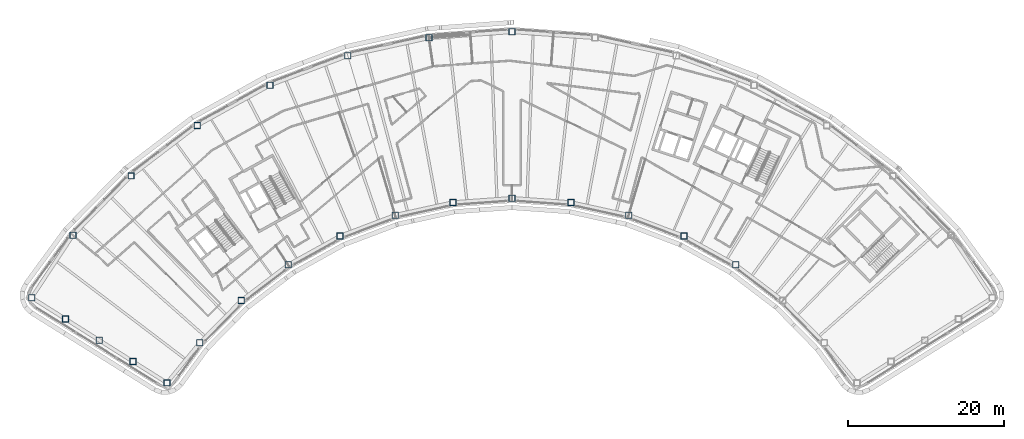
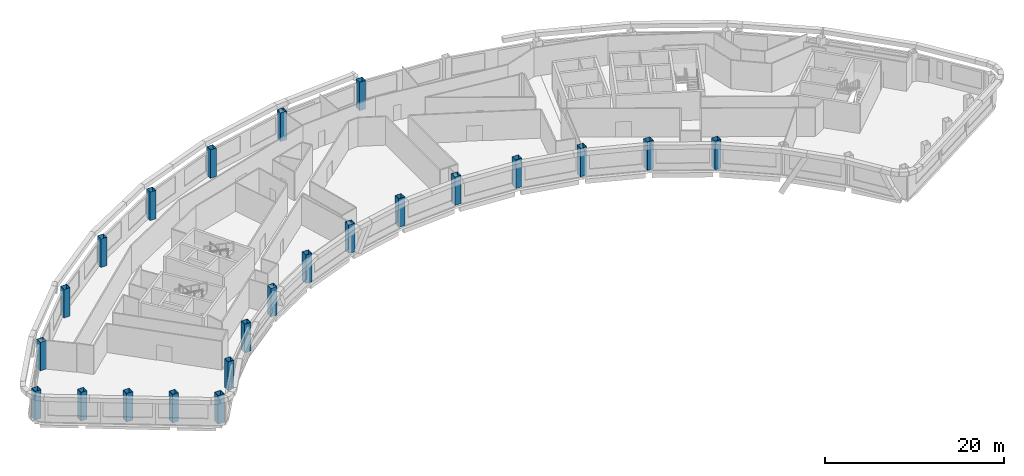
# One storey, part 1 of 13: 23 columns.
"""IFC4 building model written with IfcOpenShell, lengths in metres."""

from ifc_helpers import new_model, si_unit, direction, frame, origin, origin_2d, place, context, subcontext, project, spatial, hollow_rectangle, extrude, material, material_profile, profile_set, type_object, element, save


model = new_model("IFC4")

# Units and contexts
model_context = context("Model", 3, precision=1e-05, world=origin(), true_north=direction((0.0, 1.0)))
body_context = subcontext(model_context, "Body", "Model", "MODEL_VIEW")
ifc_project = project(units=[si_unit("LENGTHUNIT", "METRE"), si_unit("AREAUNIT", "SQUARE_METRE"), si_unit("VOLUMEUNIT", "CUBIC_METRE"), si_unit("PLANEANGLEUNIT", "RADIAN"), si_unit("MASSUNIT", "GRAM", prefix="KILO")], contexts=[model_context])

# Site, building, storey
site_placement = place(None, origin())
site = spatial("IfcSite", under=ifc_project, at=site_placement, CompositionType="ELEMENT")
building_placement = place(site_placement, origin())
building = spatial("IfcBuilding", under=site, at=building_placement, Name="Tuul Gate Civic Tower", CompositionType="ELEMENT")
storey_placement = place(building_placement, frame((0.0, 0.0, 340.699951171875)))
storey = spatial("IfcBuildingStorey", under=building, at=storey_placement, Name="Level 77", CompositionType="ELEMENT", Elevation=340.699951171875)

# Columns
ifc_material = material(Name="Steel S355", Category="steel")
ifc_material_profile = material_profile(ifc_material, hollow_rectangle(XDim=0.800048828125, YDim=0.800048828125, WallThickness=0.031982421875, at=origin_2d()), Name="BOX800x800x32")
ifc_profile_set = profile_set([ifc_material_profile], Name="Steel S355")
column_type = type_object("IfcColumnType", Name="STR-COLUMN-BOX800x800x32", PredefinedType="COLUMN", material=ifc_profile_set)
for number, where, z_axis, x_axis, name in (
    (1, (2.19189453125, 13.827880859375, 0.0), (0.0, 0.0, 1.0), (1.0, 0.0, 0.0), "Column"),
    (2, (-8.45703125, 13.055908203125, 0.0), (0.0, 0.0, 1.0), (1.0, 0.0, 0.0), "Column"),
    (3, (-18.885009765625, 10.758056640625, 0.0), (0.0, 0.0, 1.0), (1.0, 0.0, 0.0), "Column"),
    (4, (-28.8720703125, 6.98193359375, 0.0), (0.0, 0.0, 1.0), (1.0, 0.0, 0.0), "Column"),
    (5, (-38.2099609375, 1.804931640625, 0.0), (0.0, 0.0, 1.0), (1.0, 0.0, 0.0), "Column"),
    (6, (-46.7060546875, -4.6630859375, 0.0), (0.0, 0.0, 1.0), (1.0, 0.0, 0.0), "Column"),
    (7, (-54.179931640625, -12.2880859375, 0.0), (0.0, 0.0, 1.0), (1.0, 0.0, 0.0), "Column"),
    (8, (-59.47900390625, -20.300048828125, 0.0), (0.0, 0.0, 1.0), (1.0, 0.0, 0.0), "Column"),
    (9, (-55.135986328125, -23.034912109375, 0.0), (0.0, 0.0, 1.0), (1.0, 0.0, 0.0), "Column"),
    (10, (-50.7939453125, -25.77001953125, 0.0), (0.0, 0.0, 1.0), (1.0, 0.0, 0.0), "Column"),
    (11, (-46.450927734375, -28.50390625, 0.0), (0.0, 0.0, 1.0), (1.0, 0.0, 0.0), "Column"),
    (12, (-42.10888671875, -31.239013671875, 0.0), (0.0, 0.0, 1.0), (1.0, 0.0, 0.0), "Column"),
    (13, (-37.888916015625, -26.096923828125, 0.0), (0.0, 0.0, 1.0), (1.0, 0.0, 0.0), "Column"),
    (14, (-32.574951171875, -20.675048828125, 0.0), (0.0, 0.0, 1.0), (1.0, 0.0, 0.0), "Column"),
    (15, (-26.534912109375, -16.075927734375, 0.0), (0.0, 0.0, 1.0), (1.0, 0.0, 0.0), "Column"),
    (16, (-19.89501953125, -12.39599609375, 0.0), (0.0, 0.0, 1.0), (1.0, 0.0, 0.0), "Column"),
    (17, (-12.7939453125, -9.7099609375, 0.0), (0.0, 0.0, 1.0), (1.0, 0.0, 0.0), "Column"),
    (18, (-5.3798828125, -8.076904296875, 0.0), (0.0, 0.0, 1.0), (1.0, 0.0, 0.0), "Column"),
    (19, (2.19189453125, -7.528076171875, 0.0), (0.0, 0.0, 1.0), (1.0, 0.0, 0.0), "Column"),
    (20, (9.763916015625, -8.076904296875, 0.0), (0.0, 0.0, 1.0), (1.0, 0.0, 0.0), "Column"),
    (21, (17.177978515625, -9.7099609375, 0.0), (0.0, 0.0, 1.0), (1.0, 0.0, 0.0), "Column"),
    (22, (24.279052734375, -12.39599609375, 0.0), (0.0, 0.0, 1.0), (1.0, 0.0, 0.0), "Column"),
    (23, (30.9189453125, -16.075927734375, 0.0), (0.0, 0.0, 1.0), (1.0, 0.0, 0.0), "Column"),
):
    element("IfcColumn", number, at=place(storey_placement, frame(where, z_axis=z_axis, x_axis=x_axis)), inside=storey, type_object=column_type, Name=name, PredefinedType="COLUMN", context=body_context, shape_type="SweptSolid", body=[
        extrude(hollow_rectangle(XDim=0.800048828125, YDim=0.800048828125, WallThickness=0.031982421875, at=origin_2d()), origin(), (0.0, 0.0, 1.0), 3.900146484375),
    ])

save(model, "model.ifc")
